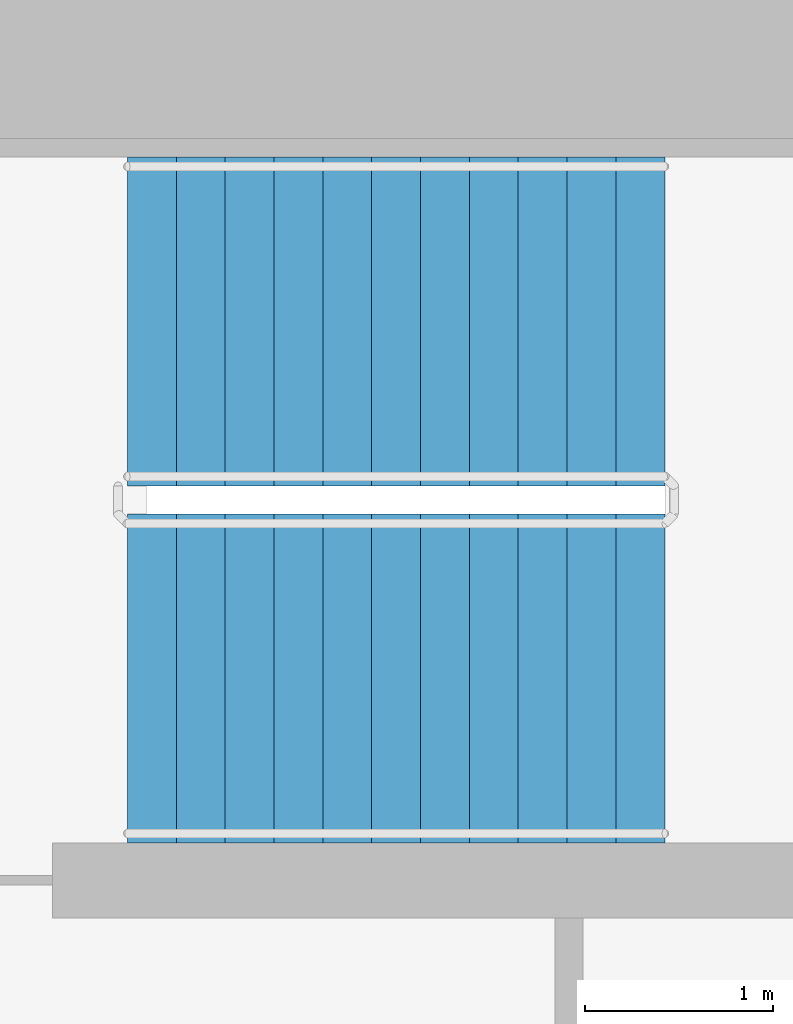
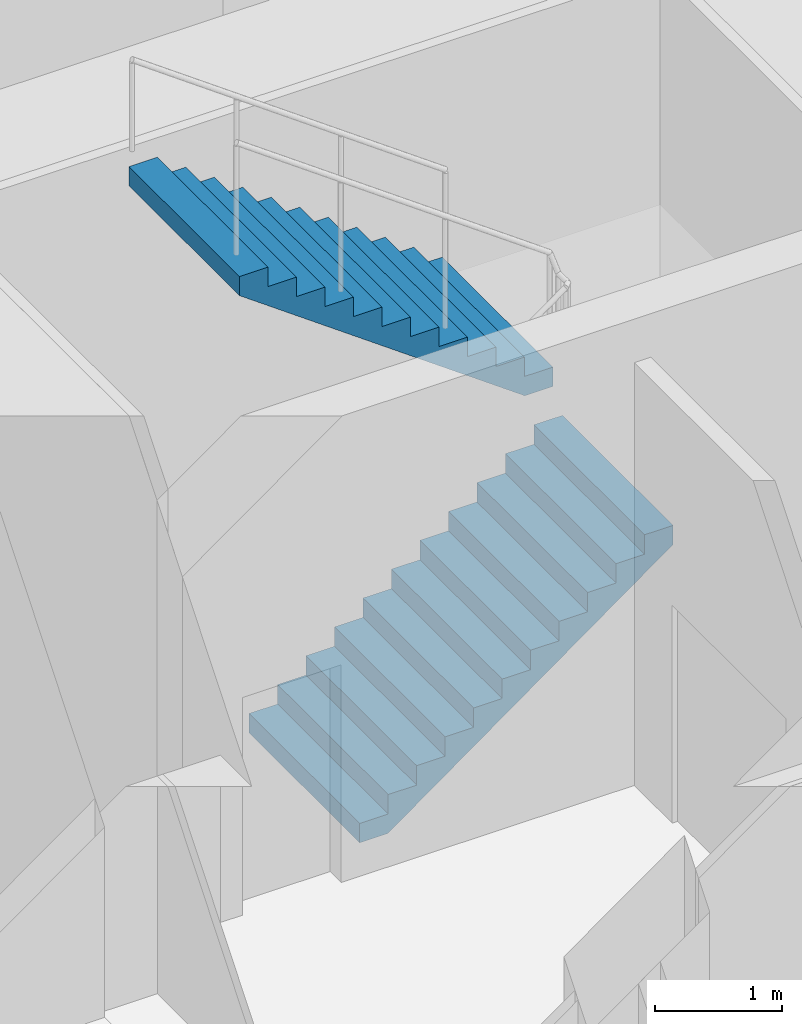
# One storey, part 20 of 27: 2 stair flights, 1 element without a shape of its own.
"""IFC4 building model written with IfcOpenShell, lengths in metres."""

from ifc_helpers import new_model, si_unit, direction, frame, origin, place, context, subcontext, project, spatial, faceted_brep, material, type_object, element, aggregate, save


model = new_model("IFC4")

# Units and contexts
model_context = context("Model", 3, precision=1e-05, world=origin(), true_north=direction((0.0, 1.0)))
body_context = subcontext(model_context, "Body", "Model", "MODEL_VIEW")
ifc_project = project(units=[si_unit("LENGTHUNIT", "METRE"), si_unit("AREAUNIT", "SQUARE_METRE"), si_unit("VOLUMEUNIT", "CUBIC_METRE"), si_unit("PLANEANGLEUNIT", "RADIAN"), si_unit("MASSUNIT", "GRAM", prefix="KILO")], contexts=[model_context])

# Site, building, storey
site_placement = place(None, origin())
site = spatial("IfcSite", under=ifc_project, at=site_placement, CompositionType="ELEMENT")
building_placement = place(site_placement, origin())
building = spatial("IfcBuilding", under=site, at=building_placement, Name="Ipe Terrace Towers", CompositionType="ELEMENT")
storey_placement = place(building_placement, frame((0.0, 0.0, 72.10009765625)))
storey = spatial("IfcBuildingStorey", under=building, at=storey_placement, Name="L19", CompositionType="ELEMENT", Elevation=72.10009765625)

# Stair, stair flights
ifc_material_1 = material(Name="Concrete C30/37", Category="concrete")
stair_type = type_object("IfcStairType", Name="Protected exit stair", PredefinedType="HALF_TURN_STAIR", material=ifc_material_1)
stair_placement = place(storey_placement, origin())
stair = element("IfcStair", 1, at=stair_placement, inside=storey, type_object=stair_type, Name="L19 Exit stair T1-C1", PredefinedType="HALF_TURN_STAIR")
ifc_material_2 = material(Name="Concrete C30/37", Category="concrete")
stair_flight_type = type_object("IfcStairFlightType", Name="Exit stair flight 1750", PredefinedType="STRAIGHT", material=ifc_material_2)
stair_flight_1_placement = place(storey_placement, frame((-26.300048828125, 2.77490234375, 0.0), z_axis=(0.0, 0.0, 1.0), x_axis=(1.0, 0.0, 0.0)))
stair_flight_1 = element("IfcStairFlight", 2, at=stair_flight_1_placement, type_object=stair_flight_type, Name="T1-ST1 flight 1", NumberOfRisers=12, NumberOfTreads=11, PredefinedType="STRAIGHT", RiserHeight=0.1875, TreadLength=0.26, context=body_context, shape_type="Brep", body=[
    faceted_brep([(0.25634765625, -0.875, 0.0), (2.860107421875, -0.875, 1.877685546875), (2.860107421875, -0.875, 2.0625), (2.60009765625, -0.875, 2.0625), (2.60009765625, -0.875, 1.875), (2.340087890625, -0.875, 1.875), (2.340087890625, -0.875, 1.6875), (2.080078125, -0.875, 1.6875), (2.080078125, -0.875, 1.5), (1.820068359375, -0.875, 1.5), (1.820068359375, -0.875, 1.3125), (1.56005859375, -0.875, 1.3125), (1.56005859375, -0.875, 1.125), (1.300048828125, -0.875, 1.125), (1.300048828125, -0.875, 0.9375), (1.0400390625, -0.875, 0.9375), (1.0400390625, -0.875, 0.75), (0.780029296875, -0.875, 0.75), (0.780029296875, -0.875, 0.5625), (0.52001953125, -0.875, 0.5625), (0.52001953125, -0.875, 0.375), (0.260009765625, -0.875, 0.375), (0.260009765625, -0.875, 0.1875), (0.0, -0.875, 0.1875), (0.0, -0.875, 0.0), (0.0, 0.875, 0.0), (0.0, 0.875, 0.1875), (0.260009765625, 0.875, 0.1875), (0.260009765625, 0.875, 0.375), (0.52001953125, 0.875, 0.375), (0.52001953125, 0.875, 0.5625), (0.780029296875, 0.875, 0.5625), (0.780029296875, 0.875, 0.75), (1.0400390625, 0.875, 0.75), (1.0400390625, 0.875, 0.9375), (1.300048828125, 0.875, 0.9375), (1.300048828125, 0.875, 1.125), (1.56005859375, 0.875, 1.125), (1.56005859375, 0.875, 1.3125), (1.820068359375, 0.875, 1.3125), (1.820068359375, 0.875, 1.5), (2.080078125, 0.875, 1.5), (2.080078125, 0.875, 1.6875), (2.340087890625, 0.875, 1.6875), (2.340087890625, 0.875, 1.875), (2.60009765625, 0.875, 1.875), (2.60009765625, 0.875, 2.0625), (2.860107421875, 0.875, 2.0625), (2.860107421875, 0.875, 1.877685546875), (0.25634765625, 0.875, 0.0), (0.0, -0.300048828125, 0.1875), (0.0, -0.1201171875, 0.1875), (0.0, -0.06005859375, 0.1875), (0.0, -0.030029296875, 0.1875), (0.0, -0.010009765625, 0.1875), (0.0, 0.0, 0.1875), (0.0, 0.010009765625, 0.1875), (0.0, 0.030029296875, 0.1875), (0.0, 0.06005859375, 0.1875), (0.0, 0.1201171875, 0.1875), (0.0, 0.300048828125, 0.1875), (0.0, 0.300048828125, 0.0), (0.0, 0.1201171875, 0.0), (0.0, 0.06005859375, 0.0), (0.0, 0.030029296875, 0.0), (0.0, 0.010009765625, 0.0), (0.0, 0.0, 0.0), (0.0, -0.010009765625, 0.0), (0.0, -0.030029296875, 0.0), (0.0, -0.06005859375, 0.0), (0.0, -0.1201171875, 0.0), (0.0, -0.300048828125, 0.0), (0.260009765625, -0.300048828125, 0.1875), (0.260009765625, -0.1201171875, 0.1875), (0.260009765625, -0.06005859375, 0.1875), (0.260009765625, -0.030029296875, 0.1875), (0.260009765625, -0.010009765625, 0.1875), (0.260009765625, 0.0, 0.1875), (0.260009765625, 0.010009765625, 0.1875), (0.260009765625, 0.030029296875, 0.1875), (0.260009765625, 0.06005859375, 0.1875), (0.260009765625, 0.1201171875, 0.1875), (0.260009765625, 0.300048828125, 0.1875), (0.260009765625, -0.300048828125, 0.375), (0.260009765625, -0.1201171875, 0.375), (0.260009765625, -0.06005859375, 0.375), (0.260009765625, -0.030029296875, 0.375), (0.260009765625, -0.010009765625, 0.375), (0.260009765625, 0.0, 0.375), (0.260009765625, 0.010009765625, 0.375), (0.260009765625, 0.030029296875, 0.375), (0.260009765625, 0.06005859375, 0.375), (0.260009765625, 0.1201171875, 0.375), (0.260009765625, 0.300048828125, 0.375), (0.52001953125, -0.300048828125, 0.375), (0.52001953125, -0.1201171875, 0.375), (0.52001953125, -0.06005859375, 0.375), (0.52001953125, -0.030029296875, 0.375), (0.52001953125, -0.010009765625, 0.375), (0.52001953125, 0.0, 0.375), (0.52001953125, 0.010009765625, 0.375), (0.52001953125, 0.030029296875, 0.375), (0.52001953125, 0.06005859375, 0.375), (0.52001953125, 0.1201171875, 0.375), (0.52001953125, 0.300048828125, 0.375), (0.52001953125, -0.300048828125, 0.5625), (0.52001953125, -0.1201171875, 0.5625), (0.52001953125, -0.06005859375, 0.5625), (0.52001953125, -0.030029296875, 0.5625), (0.52001953125, -0.010009765625, 0.5625), (0.52001953125, 0.0, 0.5625), (0.52001953125, 0.010009765625, 0.5625), (0.52001953125, 0.030029296875, 0.5625), (0.52001953125, 0.06005859375, 0.5625), (0.52001953125, 0.1201171875, 0.5625), (0.52001953125, 0.300048828125, 0.5625), (0.780029296875, -0.300048828125, 0.5625), (0.780029296875, -0.1201171875, 0.5625), (0.780029296875, -0.06005859375, 0.5625), (0.780029296875, -0.030029296875, 0.5625), (0.780029296875, -0.010009765625, 0.5625), (0.780029296875, 0.0, 0.5625), (0.780029296875, 0.010009765625, 0.5625), (0.780029296875, 0.030029296875, 0.5625), (0.780029296875, 0.06005859375, 0.5625), (0.780029296875, 0.1201171875, 0.5625), (0.780029296875, 0.300048828125, 0.5625), (0.780029296875, -0.300048828125, 0.75), (0.780029296875, -0.1201171875, 0.75), (0.780029296875, -0.06005859375, 0.75), (0.780029296875, -0.030029296875, 0.75), (0.780029296875, -0.010009765625, 0.75), (0.780029296875, 0.0, 0.75), (0.780029296875, 0.010009765625, 0.75), (0.780029296875, 0.030029296875, 0.75), (0.780029296875, 0.06005859375, 0.75), (0.780029296875, 0.1201171875, 0.75), (0.780029296875, 0.300048828125, 0.75), (1.0400390625, -0.300048828125, 0.75), (1.0400390625, -0.1201171875, 0.75), (1.0400390625, -0.06005859375, 0.75), (1.0400390625, -0.030029296875, 0.75), (1.0400390625, -0.010009765625, 0.75), (1.0400390625, 0.0, 0.75), (1.0400390625, 0.010009765625, 0.75), (1.0400390625, 0.030029296875, 0.75), (1.0400390625, 0.06005859375, 0.75), (1.0400390625, 0.1201171875, 0.75), (1.0400390625, 0.300048828125, 0.75), (1.0400390625, -0.300048828125, 0.9375), (1.0400390625, -0.1201171875, 0.9375), (1.0400390625, -0.06005859375, 0.9375), (1.0400390625, -0.030029296875, 0.9375), (1.0400390625, -0.010009765625, 0.9375), (1.0400390625, 0.0, 0.9375), (1.0400390625, 0.010009765625, 0.9375), (1.0400390625, 0.030029296875, 0.9375), (1.0400390625, 0.06005859375, 0.9375), (1.0400390625, 0.1201171875, 0.9375), (1.0400390625, 0.300048828125, 0.9375), (1.300048828125, -0.300048828125, 0.9375), (1.300048828125, -0.1201171875, 0.9375), (1.300048828125, -0.06005859375, 0.9375), (1.300048828125, -0.030029296875, 0.9375), (1.300048828125, -0.010009765625, 0.9375), (1.300048828125, 0.0, 0.9375), (1.300048828125, 0.010009765625, 0.9375), (1.300048828125, 0.030029296875, 0.9375), (1.300048828125, 0.06005859375, 0.9375), (1.300048828125, 0.1201171875, 0.9375), (1.300048828125, 0.300048828125, 0.9375), (1.300048828125, -0.300048828125, 1.125), (1.300048828125, -0.1201171875, 1.125), (1.300048828125, -0.06005859375, 1.125), (1.300048828125, -0.030029296875, 1.125), (1.300048828125, -0.010009765625, 1.125), (1.300048828125, 0.0, 1.125), (1.300048828125, 0.010009765625, 1.125), (1.300048828125, 0.030029296875, 1.125), (1.300048828125, 0.06005859375, 1.125), (1.300048828125, 0.1201171875, 1.125), (1.300048828125, 0.300048828125, 1.125), (1.56005859375, -0.300048828125, 1.125), (1.56005859375, -0.1201171875, 1.125), (1.56005859375, -0.06005859375, 1.125), (1.56005859375, -0.030029296875, 1.125), (1.56005859375, -0.010009765625, 1.125), (1.56005859375, 0.0, 1.125), (1.56005859375, 0.010009765625, 1.125), (1.56005859375, 0.030029296875, 1.125), (1.56005859375, 0.06005859375, 1.125), (1.56005859375, 0.1201171875, 1.125), (1.56005859375, 0.300048828125, 1.125), (1.56005859375, -0.300048828125, 1.3125), (1.56005859375, -0.1201171875, 1.3125), (1.56005859375, -0.06005859375, 1.3125), (1.56005859375, -0.030029296875, 1.3125), (1.56005859375, -0.010009765625, 1.3125), (1.56005859375, 0.0, 1.3125), (1.56005859375, 0.010009765625, 1.3125), (1.56005859375, 0.030029296875, 1.3125), (1.56005859375, 0.06005859375, 1.3125), (1.56005859375, 0.1201171875, 1.3125), (1.56005859375, 0.300048828125, 1.3125), (1.820068359375, -0.300048828125, 1.3125), (1.820068359375, -0.1201171875, 1.3125), (1.820068359375, -0.06005859375, 1.3125), (1.820068359375, -0.030029296875, 1.3125), (1.820068359375, -0.010009765625, 1.3125), (1.820068359375, 0.0, 1.3125), (1.820068359375, 0.010009765625, 1.3125), (1.820068359375, 0.030029296875, 1.3125), (1.820068359375, 0.06005859375, 1.3125), (1.820068359375, 0.1201171875, 1.3125), (1.820068359375, 0.300048828125, 1.3125), (1.820068359375, -0.300048828125, 1.5), (1.820068359375, -0.1201171875, 1.5), (1.820068359375, -0.06005859375, 1.5), (1.820068359375, -0.030029296875, 1.5), (1.820068359375, -0.010009765625, 1.5), (1.820068359375, 0.0, 1.5), (1.820068359375, 0.010009765625, 1.5), (1.820068359375, 0.030029296875, 1.5), (1.820068359375, 0.06005859375, 1.5), (1.820068359375, 0.1201171875, 1.5), (1.820068359375, 0.300048828125, 1.5), (2.080078125, -0.300048828125, 1.5), (2.080078125, -0.1201171875, 1.5), (2.080078125, -0.06005859375, 1.5), (2.080078125, -0.030029296875, 1.5), (2.080078125, -0.010009765625, 1.5), (2.080078125, 0.0, 1.5), (2.080078125, 0.010009765625, 1.5), (2.080078125, 0.030029296875, 1.5), (2.080078125, 0.06005859375, 1.5), (2.080078125, 0.1201171875, 1.5), (2.080078125, 0.300048828125, 1.5), (2.080078125, -0.300048828125, 1.6875), (2.080078125, -0.1201171875, 1.6875), (2.080078125, -0.06005859375, 1.6875), (2.080078125, -0.030029296875, 1.6875), (2.080078125, -0.010009765625, 1.6875), (2.080078125, 0.0, 1.6875), (2.080078125, 0.010009765625, 1.6875), (2.080078125, 0.030029296875, 1.6875), (2.080078125, 0.06005859375, 1.6875), (2.080078125, 0.1201171875, 1.6875), (2.080078125, 0.300048828125, 1.6875), (2.340087890625, -0.300048828125, 1.6875), (2.340087890625, -0.1201171875, 1.6875), (2.340087890625, -0.06005859375, 1.6875), (2.340087890625, -0.030029296875, 1.6875), (2.340087890625, -0.010009765625, 1.6875), (2.340087890625, 0.0, 1.6875), (2.340087890625, 0.010009765625, 1.6875), (2.340087890625, 0.030029296875, 1.6875), (2.340087890625, 0.06005859375, 1.6875), (2.340087890625, 0.1201171875, 1.6875), (2.340087890625, 0.300048828125, 1.6875), (2.340087890625, -0.300048828125, 1.875), (2.340087890625, -0.1201171875, 1.875), (2.340087890625, -0.06005859375, 1.875), (2.340087890625, -0.030029296875, 1.875), (2.340087890625, -0.010009765625, 1.875), (2.340087890625, 0.0, 1.875), (2.340087890625, 0.010009765625, 1.875), (2.340087890625, 0.030029296875, 1.875), (2.340087890625, 0.06005859375, 1.875), (2.340087890625, 0.1201171875, 1.875), (2.340087890625, 0.300048828125, 1.875), (2.60009765625, -0.300048828125, 1.875), (2.60009765625, -0.1201171875, 1.875), (2.60009765625, -0.06005859375, 1.875), (2.60009765625, -0.030029296875, 1.875), (2.60009765625, -0.010009765625, 1.875), (2.60009765625, 0.0, 1.875), (2.60009765625, 0.010009765625, 1.875), (2.60009765625, 0.030029296875, 1.875), (2.60009765625, 0.06005859375, 1.875), (2.60009765625, 0.1201171875, 1.875), (2.60009765625, 0.300048828125, 1.875), (2.60009765625, -0.300048828125, 2.0625), (2.60009765625, -0.1201171875, 2.0625), (2.60009765625, -0.06005859375, 2.0625), (2.60009765625, -0.030029296875, 2.0625), (2.60009765625, -0.010009765625, 2.0625), (2.60009765625, 0.0, 2.0625), (2.60009765625, 0.010009765625, 2.0625), (2.60009765625, 0.030029296875, 2.0625), (2.60009765625, 0.06005859375, 2.0625), (2.60009765625, 0.1201171875, 2.0625), (2.60009765625, 0.300048828125, 2.0625), (2.860107421875, -0.300048828125, 2.0625), (2.860107421875, -0.1201171875, 2.0625), (2.860107421875, -0.06005859375, 2.0625), (2.860107421875, -0.030029296875, 2.0625), (2.860107421875, -0.010009765625, 2.0625), (2.860107421875, 0.0, 2.0625), (2.860107421875, 0.010009765625, 2.0625), (2.860107421875, 0.030029296875, 2.0625), (2.860107421875, 0.06005859375, 2.0625), (2.860107421875, 0.1201171875, 2.0625), (2.860107421875, 0.300048828125, 2.0625), (2.860107421875, -0.300048828125, 1.877685546875), (2.860107421875, -0.1201171875, 1.877685546875), (2.860107421875, -0.06005859375, 1.877685546875), (2.860107421875, -0.030029296875, 1.877685546875), (2.860107421875, -0.010009765625, 1.877685546875), (2.860107421875, 0.0, 1.877685546875), (2.860107421875, 0.010009765625, 1.877685546875), (2.860107421875, 0.030029296875, 1.877685546875), (2.860107421875, 0.06005859375, 1.877685546875), (2.860107421875, 0.1201171875, 1.877685546875), (2.860107421875, 0.300048828125, 1.877685546875), (0.25634765625, -0.300048828125, 0.0), (0.25634765625, -0.1201171875, 0.0), (0.25634765625, -0.06005859375, 0.0), (0.25634765625, -0.030029296875, 0.0), (0.25634765625, -0.010009765625, 0.0), (0.25634765625, 0.0, 0.0), (0.25634765625, 0.010009765625, 0.0), (0.25634765625, 0.030029296875, 0.0), (0.25634765625, 0.06005859375, 0.0), (0.25634765625, 0.1201171875, 0.0), (0.25634765625, 0.300048828125, 0.0)], [[[0, 1, 2, 3, 4, 5, 6, 7, 8, 9, 10, 11, 12, 13, 14, 15, 16, 17, 18, 19, 20, 21, 22, 23, 24]], [[25, 26, 27, 28, 29, 30, 31, 32, 33, 34, 35, 36, 37, 38, 39, 40, 41, 42, 43, 44, 45, 46, 47, 48, 49]], [[23, 50, 51, 52, 53, 54, 55, 56, 57, 58, 59, 60, 26, 25, 61, 62, 63, 64, 65, 66, 67, 68, 69, 70, 71, 24]], [[22, 72, 73, 74, 75, 76, 77, 78, 79, 80, 81, 82, 27, 26, 60, 59, 58, 57, 56, 55, 54, 53, 52, 51, 50, 23]], [[21, 83, 84, 85, 86, 87, 88, 89, 90, 91, 92, 93, 28, 27, 82, 81, 80, 79, 78, 77, 76, 75, 74, 73, 72, 22]], [[20, 94, 95, 96, 97, 98, 99, 100, 101, 102, 103, 104, 29, 28, 93, 92, 91, 90, 89, 88, 87, 86, 85, 84, 83, 21]], [[19, 105, 106, 107, 108, 109, 110, 111, 112, 113, 114, 115, 30, 29, 104, 103, 102, 101, 100, 99, 98, 97, 96, 95, 94, 20]], [[18, 116, 117, 118, 119, 120, 121, 122, 123, 124, 125, 126, 31, 30, 115, 114, 113, 112, 111, 110, 109, 108, 107, 106, 105, 19]], [[17, 127, 128, 129, 130, 131, 132, 133, 134, 135, 136, 137, 32, 31, 126, 125, 124, 123, 122, 121, 120, 119, 118, 117, 116, 18]], [[16, 138, 139, 140, 141, 142, 143, 144, 145, 146, 147, 148, 33, 32, 137, 136, 135, 134, 133, 132, 131, 130, 129, 128, 127, 17]], [[15, 149, 150, 151, 152, 153, 154, 155, 156, 157, 158, 159, 34, 33, 148, 147, 146, 145, 144, 143, 142, 141, 140, 139, 138, 16]], [[14, 160, 161, 162, 163, 164, 165, 166, 167, 168, 169, 170, 35, 34, 159, 158, 157, 156, 155, 154, 153, 152, 151, 150, 149, 15]], [[13, 171, 172, 173, 174, 175, 176, 177, 178, 179, 180, 181, 36, 35, 170, 169, 168, 167, 166, 165, 164, 163, 162, 161, 160, 14]], [[12, 182, 183, 184, 185, 186, 187, 188, 189, 190, 191, 192, 37, 36, 181, 180, 179, 178, 177, 176, 175, 174, 173, 172, 171, 13]], [[11, 193, 194, 195, 196, 197, 198, 199, 200, 201, 202, 203, 38, 37, 192, 191, 190, 189, 188, 187, 186, 185, 184, 183, 182, 12]], [[10, 204, 205, 206, 207, 208, 209, 210, 211, 212, 213, 214, 39, 38, 203, 202, 201, 200, 199, 198, 197, 196, 195, 194, 193, 11]], [[9, 215, 216, 217, 218, 219, 220, 221, 222, 223, 224, 225, 40, 39, 214, 213, 212, 211, 210, 209, 208, 207, 206, 205, 204, 10]], [[8, 226, 227, 228, 229, 230, 231, 232, 233, 234, 235, 236, 41, 40, 225, 224, 223, 222, 221, 220, 219, 218, 217, 216, 215, 9]], [[7, 237, 238, 239, 240, 241, 242, 243, 244, 245, 246, 247, 42, 41, 236, 235, 234, 233, 232, 231, 230, 229, 228, 227, 226, 8]], [[6, 248, 249, 250, 251, 252, 253, 254, 255, 256, 257, 258, 43, 42, 247, 246, 245, 244, 243, 242, 241, 240, 239, 238, 237, 7]], [[5, 259, 260, 261, 262, 263, 264, 265, 266, 267, 268, 269, 44, 43, 258, 257, 256, 255, 254, 253, 252, 251, 250, 249, 248, 6]], [[4, 270, 271, 272, 273, 274, 275, 276, 277, 278, 279, 280, 45, 44, 269, 268, 267, 266, 265, 264, 263, 262, 261, 260, 259, 5]], [[3, 281, 282, 283, 284, 285, 286, 287, 288, 289, 290, 291, 46, 45, 280, 279, 278, 277, 276, 275, 274, 273, 272, 271, 270, 4]], [[2, 292, 293, 294, 295, 296, 297, 298, 299, 300, 301, 302, 47, 46, 291, 290, 289, 288, 287, 286, 285, 284, 283, 282, 281, 3]], [[1, 303, 304, 305, 306, 307, 308, 309, 310, 311, 312, 313, 48, 47, 302, 301, 300, 299, 298, 297, 296, 295, 294, 293, 292, 2]], [[0, 314, 315, 316, 317, 318, 319, 320, 321, 322, 323, 324, 49, 48, 313, 312, 311, 310, 309, 308, 307, 306, 305, 304, 303, 1]], [[24, 71, 70, 69, 68, 67, 66, 65, 64, 63, 62, 61, 25, 49, 324, 323, 322, 321, 320, 319, 318, 317, 316, 315, 314, 0]]]),
])
stair_flight_2_placement = place(storey_placement, frame((-23.43994140625, 4.675048828125, 2.25), z_axis=(0.0, 0.0, 1.0), x_axis=(-1.0, 0.0, 0.0)))
stair_flight_2 = element("IfcStairFlight", 3, at=stair_flight_2_placement, type_object=stair_flight_type, Name="T1-ST1 flight 2", NumberOfRisers=12, NumberOfTreads=11, PredefinedType="STRAIGHT", RiserHeight=0.1875, TreadLength=0.26, context=body_context, shape_type="Brep", body=[
    faceted_brep([(0.25634765625, -0.875, 0.0), (2.860107421875, -0.875, 1.877685546875), (2.860107421875, -0.875, 2.0625), (2.60009765625, -0.875, 2.0625), (2.60009765625, -0.875, 1.875), (2.340087890625, -0.875, 1.875), (2.340087890625, -0.875, 1.6875), (2.080078125, -0.875, 1.6875), (2.080078125, -0.875, 1.5), (1.820068359375, -0.875, 1.5), (1.820068359375, -0.875, 1.3125), (1.56005859375, -0.875, 1.3125), (1.56005859375, -0.875, 1.125), (1.300048828125, -0.875, 1.125), (1.300048828125, -0.875, 0.9375), (1.0400390625, -0.875, 0.9375), (1.0400390625, -0.875, 0.75), (0.780029296875, -0.875, 0.75), (0.780029296875, -0.875, 0.5625), (0.52001953125, -0.875, 0.5625), (0.52001953125, -0.875, 0.375), (0.260009765625, -0.875, 0.375), (0.260009765625, -0.875, 0.1875), (0.0, -0.875, 0.1875), (0.0, -0.875, 0.0), (0.0, 0.875, 0.0), (0.0, 0.875, 0.1875), (0.260009765625, 0.875, 0.1875), (0.260009765625, 0.875, 0.375), (0.52001953125, 0.875, 0.375), (0.52001953125, 0.875, 0.5625), (0.780029296875, 0.875, 0.5625), (0.780029296875, 0.875, 0.75), (1.0400390625, 0.875, 0.75), (1.0400390625, 0.875, 0.9375), (1.300048828125, 0.875, 0.9375), (1.300048828125, 0.875, 1.125), (1.56005859375, 0.875, 1.125), (1.56005859375, 0.875, 1.3125), (1.820068359375, 0.875, 1.3125), (1.820068359375, 0.875, 1.5), (2.080078125, 0.875, 1.5), (2.080078125, 0.875, 1.6875), (2.340087890625, 0.875, 1.6875), (2.340087890625, 0.875, 1.875), (2.60009765625, 0.875, 1.875), (2.60009765625, 0.875, 2.0625), (2.860107421875, 0.875, 2.0625), (2.860107421875, 0.875, 1.877685546875), (0.25634765625, 0.875, 0.0), (0.0, -0.300048828125, 0.1875), (0.0, -0.1201171875, 0.1875), (0.0, -0.06005859375, 0.1875), (0.0, -0.030029296875, 0.1875), (0.0, -0.010009765625, 0.1875), (0.0, 0.0, 0.1875), (0.0, 0.010009765625, 0.1875), (0.0, 0.030029296875, 0.1875), (0.0, 0.06005859375, 0.1875), (0.0, 0.1201171875, 0.1875), (0.0, 0.300048828125, 0.1875), (0.0, 0.300048828125, 0.0), (0.0, 0.1201171875, 0.0), (0.0, 0.06005859375, 0.0), (0.0, 0.030029296875, 0.0), (0.0, 0.010009765625, 0.0), (0.0, 0.0, 0.0), (0.0, -0.010009765625, 0.0), (0.0, -0.030029296875, 0.0), (0.0, -0.06005859375, 0.0), (0.0, -0.1201171875, 0.0), (0.0, -0.300048828125, 0.0), (0.260009765625, -0.300048828125, 0.1875), (0.260009765625, -0.1201171875, 0.1875), (0.260009765625, -0.06005859375, 0.1875), (0.260009765625, -0.030029296875, 0.1875), (0.260009765625, -0.010009765625, 0.1875), (0.260009765625, 0.0, 0.1875), (0.260009765625, 0.010009765625, 0.1875), (0.260009765625, 0.030029296875, 0.1875), (0.260009765625, 0.06005859375, 0.1875), (0.260009765625, 0.1201171875, 0.1875), (0.260009765625, 0.300048828125, 0.1875), (0.260009765625, -0.300048828125, 0.375), (0.260009765625, -0.1201171875, 0.375), (0.260009765625, -0.06005859375, 0.375), (0.260009765625, -0.030029296875, 0.375), (0.260009765625, -0.010009765625, 0.375), (0.260009765625, 0.0, 0.375), (0.260009765625, 0.010009765625, 0.375), (0.260009765625, 0.030029296875, 0.375), (0.260009765625, 0.06005859375, 0.375), (0.260009765625, 0.1201171875, 0.375), (0.260009765625, 0.300048828125, 0.375), (0.52001953125, -0.300048828125, 0.375), (0.52001953125, -0.1201171875, 0.375), (0.52001953125, -0.06005859375, 0.375), (0.52001953125, -0.030029296875, 0.375), (0.52001953125, -0.010009765625, 0.375), (0.52001953125, 0.0, 0.375), (0.52001953125, 0.010009765625, 0.375), (0.52001953125, 0.030029296875, 0.375), (0.52001953125, 0.06005859375, 0.375), (0.52001953125, 0.1201171875, 0.375), (0.52001953125, 0.300048828125, 0.375), (0.52001953125, -0.300048828125, 0.5625), (0.52001953125, -0.1201171875, 0.5625), (0.52001953125, -0.06005859375, 0.5625), (0.52001953125, -0.030029296875, 0.5625), (0.52001953125, -0.010009765625, 0.5625), (0.52001953125, 0.0, 0.5625), (0.52001953125, 0.010009765625, 0.5625), (0.52001953125, 0.030029296875, 0.5625), (0.52001953125, 0.06005859375, 0.5625), (0.52001953125, 0.1201171875, 0.5625), (0.52001953125, 0.300048828125, 0.5625), (0.780029296875, -0.300048828125, 0.5625), (0.780029296875, -0.1201171875, 0.5625), (0.780029296875, -0.06005859375, 0.5625), (0.780029296875, -0.030029296875, 0.5625), (0.780029296875, -0.010009765625, 0.5625), (0.780029296875, 0.0, 0.5625), (0.780029296875, 0.010009765625, 0.5625), (0.780029296875, 0.030029296875, 0.5625), (0.780029296875, 0.06005859375, 0.5625), (0.780029296875, 0.1201171875, 0.5625), (0.780029296875, 0.300048828125, 0.5625), (0.780029296875, -0.300048828125, 0.75), (0.780029296875, -0.1201171875, 0.75), (0.780029296875, -0.06005859375, 0.75), (0.780029296875, -0.030029296875, 0.75), (0.780029296875, -0.010009765625, 0.75), (0.780029296875, 0.0, 0.75), (0.780029296875, 0.010009765625, 0.75), (0.780029296875, 0.030029296875, 0.75), (0.780029296875, 0.06005859375, 0.75), (0.780029296875, 0.1201171875, 0.75), (0.780029296875, 0.300048828125, 0.75), (1.0400390625, -0.300048828125, 0.75), (1.0400390625, -0.1201171875, 0.75), (1.0400390625, -0.06005859375, 0.75), (1.0400390625, -0.030029296875, 0.75), (1.0400390625, -0.010009765625, 0.75), (1.0400390625, 0.0, 0.75), (1.0400390625, 0.010009765625, 0.75), (1.0400390625, 0.030029296875, 0.75), (1.0400390625, 0.06005859375, 0.75), (1.0400390625, 0.1201171875, 0.75), (1.0400390625, 0.300048828125, 0.75), (1.0400390625, -0.300048828125, 0.9375), (1.0400390625, -0.1201171875, 0.9375), (1.0400390625, -0.06005859375, 0.9375), (1.0400390625, -0.030029296875, 0.9375), (1.0400390625, -0.010009765625, 0.9375), (1.0400390625, 0.0, 0.9375), (1.0400390625, 0.010009765625, 0.9375), (1.0400390625, 0.030029296875, 0.9375), (1.0400390625, 0.06005859375, 0.9375), (1.0400390625, 0.1201171875, 0.9375), (1.0400390625, 0.300048828125, 0.9375), (1.300048828125, -0.300048828125, 0.9375), (1.300048828125, -0.1201171875, 0.9375), (1.300048828125, -0.06005859375, 0.9375), (1.300048828125, -0.030029296875, 0.9375), (1.300048828125, -0.010009765625, 0.9375), (1.300048828125, 0.0, 0.9375), (1.300048828125, 0.010009765625, 0.9375), (1.300048828125, 0.030029296875, 0.9375), (1.300048828125, 0.06005859375, 0.9375), (1.300048828125, 0.1201171875, 0.9375), (1.300048828125, 0.300048828125, 0.9375), (1.300048828125, -0.300048828125, 1.125), (1.300048828125, -0.1201171875, 1.125), (1.300048828125, -0.06005859375, 1.125), (1.300048828125, -0.030029296875, 1.125), (1.300048828125, -0.010009765625, 1.125), (1.300048828125, 0.0, 1.125), (1.300048828125, 0.010009765625, 1.125), (1.300048828125, 0.030029296875, 1.125), (1.300048828125, 0.06005859375, 1.125), (1.300048828125, 0.1201171875, 1.125), (1.300048828125, 0.300048828125, 1.125), (1.56005859375, -0.300048828125, 1.125), (1.56005859375, -0.1201171875, 1.125), (1.56005859375, -0.06005859375, 1.125), (1.56005859375, -0.030029296875, 1.125), (1.56005859375, -0.010009765625, 1.125), (1.56005859375, 0.0, 1.125), (1.56005859375, 0.010009765625, 1.125), (1.56005859375, 0.030029296875, 1.125), (1.56005859375, 0.06005859375, 1.125), (1.56005859375, 0.1201171875, 1.125), (1.56005859375, 0.300048828125, 1.125), (1.56005859375, -0.300048828125, 1.3125), (1.56005859375, -0.1201171875, 1.3125), (1.56005859375, -0.06005859375, 1.3125), (1.56005859375, -0.030029296875, 1.3125), (1.56005859375, -0.010009765625, 1.3125), (1.56005859375, 0.0, 1.3125), (1.56005859375, 0.010009765625, 1.3125), (1.56005859375, 0.030029296875, 1.3125), (1.56005859375, 0.06005859375, 1.3125), (1.56005859375, 0.1201171875, 1.3125), (1.56005859375, 0.300048828125, 1.3125), (1.820068359375, -0.300048828125, 1.3125), (1.820068359375, -0.1201171875, 1.3125), (1.820068359375, -0.06005859375, 1.3125), (1.820068359375, -0.030029296875, 1.3125), (1.820068359375, -0.010009765625, 1.3125), (1.820068359375, 0.0, 1.3125), (1.820068359375, 0.010009765625, 1.3125), (1.820068359375, 0.030029296875, 1.3125), (1.820068359375, 0.06005859375, 1.3125), (1.820068359375, 0.1201171875, 1.3125), (1.820068359375, 0.300048828125, 1.3125), (1.820068359375, -0.300048828125, 1.5), (1.820068359375, -0.1201171875, 1.5), (1.820068359375, -0.06005859375, 1.5), (1.820068359375, -0.030029296875, 1.5), (1.820068359375, -0.010009765625, 1.5), (1.820068359375, 0.0, 1.5), (1.820068359375, 0.010009765625, 1.5), (1.820068359375, 0.030029296875, 1.5), (1.820068359375, 0.06005859375, 1.5), (1.820068359375, 0.1201171875, 1.5), (1.820068359375, 0.300048828125, 1.5), (2.080078125, -0.300048828125, 1.5), (2.080078125, -0.1201171875, 1.5), (2.080078125, -0.06005859375, 1.5), (2.080078125, -0.030029296875, 1.5), (2.080078125, -0.010009765625, 1.5), (2.080078125, 0.0, 1.5), (2.080078125, 0.010009765625, 1.5), (2.080078125, 0.030029296875, 1.5), (2.080078125, 0.06005859375, 1.5), (2.080078125, 0.1201171875, 1.5), (2.080078125, 0.300048828125, 1.5), (2.080078125, -0.300048828125, 1.6875), (2.080078125, -0.1201171875, 1.6875), (2.080078125, -0.06005859375, 1.6875), (2.080078125, -0.030029296875, 1.6875), (2.080078125, -0.010009765625, 1.6875), (2.080078125, 0.0, 1.6875), (2.080078125, 0.010009765625, 1.6875), (2.080078125, 0.030029296875, 1.6875), (2.080078125, 0.06005859375, 1.6875), (2.080078125, 0.1201171875, 1.6875), (2.080078125, 0.300048828125, 1.6875), (2.340087890625, -0.300048828125, 1.6875), (2.340087890625, -0.1201171875, 1.6875), (2.340087890625, -0.06005859375, 1.6875), (2.340087890625, -0.030029296875, 1.6875), (2.340087890625, -0.010009765625, 1.6875), (2.340087890625, 0.0, 1.6875), (2.340087890625, 0.010009765625, 1.6875), (2.340087890625, 0.030029296875, 1.6875), (2.340087890625, 0.06005859375, 1.6875), (2.340087890625, 0.1201171875, 1.6875), (2.340087890625, 0.300048828125, 1.6875), (2.340087890625, -0.300048828125, 1.875), (2.340087890625, -0.1201171875, 1.875), (2.340087890625, -0.06005859375, 1.875), (2.340087890625, -0.030029296875, 1.875), (2.340087890625, -0.010009765625, 1.875), (2.340087890625, 0.0, 1.875), (2.340087890625, 0.010009765625, 1.875), (2.340087890625, 0.030029296875, 1.875), (2.340087890625, 0.06005859375, 1.875), (2.340087890625, 0.1201171875, 1.875), (2.340087890625, 0.300048828125, 1.875), (2.60009765625, -0.300048828125, 1.875), (2.60009765625, -0.1201171875, 1.875), (2.60009765625, -0.06005859375, 1.875), (2.60009765625, -0.030029296875, 1.875), (2.60009765625, -0.010009765625, 1.875), (2.60009765625, 0.0, 1.875), (2.60009765625, 0.010009765625, 1.875), (2.60009765625, 0.030029296875, 1.875), (2.60009765625, 0.06005859375, 1.875), (2.60009765625, 0.1201171875, 1.875), (2.60009765625, 0.300048828125, 1.875), (2.60009765625, -0.300048828125, 2.0625), (2.60009765625, -0.1201171875, 2.0625), (2.60009765625, -0.06005859375, 2.0625), (2.60009765625, -0.030029296875, 2.0625), (2.60009765625, -0.010009765625, 2.0625), (2.60009765625, 0.0, 2.0625), (2.60009765625, 0.010009765625, 2.0625), (2.60009765625, 0.030029296875, 2.0625), (2.60009765625, 0.06005859375, 2.0625), (2.60009765625, 0.1201171875, 2.0625), (2.60009765625, 0.300048828125, 2.0625), (2.860107421875, -0.300048828125, 2.0625), (2.860107421875, -0.1201171875, 2.0625), (2.860107421875, -0.06005859375, 2.0625), (2.860107421875, -0.030029296875, 2.0625), (2.860107421875, -0.010009765625, 2.0625), (2.860107421875, 0.0, 2.0625), (2.860107421875, 0.010009765625, 2.0625), (2.860107421875, 0.030029296875, 2.0625), (2.860107421875, 0.06005859375, 2.0625), (2.860107421875, 0.1201171875, 2.0625), (2.860107421875, 0.300048828125, 2.0625), (2.860107421875, -0.300048828125, 1.877685546875), (2.860107421875, -0.1201171875, 1.877685546875), (2.860107421875, -0.06005859375, 1.877685546875), (2.860107421875, -0.030029296875, 1.877685546875), (2.860107421875, -0.010009765625, 1.877685546875), (2.860107421875, 0.0, 1.877685546875), (2.860107421875, 0.010009765625, 1.877685546875), (2.860107421875, 0.030029296875, 1.877685546875), (2.860107421875, 0.06005859375, 1.877685546875), (2.860107421875, 0.1201171875, 1.877685546875), (2.860107421875, 0.300048828125, 1.877685546875), (0.25634765625, -0.300048828125, 0.0), (0.25634765625, -0.1201171875, 0.0), (0.25634765625, -0.06005859375, 0.0), (0.25634765625, -0.030029296875, 0.0), (0.25634765625, -0.010009765625, 0.0), (0.25634765625, 0.0, 0.0), (0.25634765625, 0.010009765625, 0.0), (0.25634765625, 0.030029296875, 0.0), (0.25634765625, 0.06005859375, 0.0), (0.25634765625, 0.1201171875, 0.0), (0.25634765625, 0.300048828125, 0.0)], [[[0, 1, 2, 3, 4, 5, 6, 7, 8, 9, 10, 11, 12, 13, 14, 15, 16, 17, 18, 19, 20, 21, 22, 23, 24]], [[25, 26, 27, 28, 29, 30, 31, 32, 33, 34, 35, 36, 37, 38, 39, 40, 41, 42, 43, 44, 45, 46, 47, 48, 49]], [[23, 50, 51, 52, 53, 54, 55, 56, 57, 58, 59, 60, 26, 25, 61, 62, 63, 64, 65, 66, 67, 68, 69, 70, 71, 24]], [[22, 72, 73, 74, 75, 76, 77, 78, 79, 80, 81, 82, 27, 26, 60, 59, 58, 57, 56, 55, 54, 53, 52, 51, 50, 23]], [[21, 83, 84, 85, 86, 87, 88, 89, 90, 91, 92, 93, 28, 27, 82, 81, 80, 79, 78, 77, 76, 75, 74, 73, 72, 22]], [[20, 94, 95, 96, 97, 98, 99, 100, 101, 102, 103, 104, 29, 28, 93, 92, 91, 90, 89, 88, 87, 86, 85, 84, 83, 21]], [[19, 105, 106, 107, 108, 109, 110, 111, 112, 113, 114, 115, 30, 29, 104, 103, 102, 101, 100, 99, 98, 97, 96, 95, 94, 20]], [[18, 116, 117, 118, 119, 120, 121, 122, 123, 124, 125, 126, 31, 30, 115, 114, 113, 112, 111, 110, 109, 108, 107, 106, 105, 19]], [[17, 127, 128, 129, 130, 131, 132, 133, 134, 135, 136, 137, 32, 31, 126, 125, 124, 123, 122, 121, 120, 119, 118, 117, 116, 18]], [[16, 138, 139, 140, 141, 142, 143, 144, 145, 146, 147, 148, 33, 32, 137, 136, 135, 134, 133, 132, 131, 130, 129, 128, 127, 17]], [[15, 149, 150, 151, 152, 153, 154, 155, 156, 157, 158, 159, 34, 33, 148, 147, 146, 145, 144, 143, 142, 141, 140, 139, 138, 16]], [[14, 160, 161, 162, 163, 164, 165, 166, 167, 168, 169, 170, 35, 34, 159, 158, 157, 156, 155, 154, 153, 152, 151, 150, 149, 15]], [[13, 171, 172, 173, 174, 175, 176, 177, 178, 179, 180, 181, 36, 35, 170, 169, 168, 167, 166, 165, 164, 163, 162, 161, 160, 14]], [[12, 182, 183, 184, 185, 186, 187, 188, 189, 190, 191, 192, 37, 36, 181, 180, 179, 178, 177, 176, 175, 174, 173, 172, 171, 13]], [[11, 193, 194, 195, 196, 197, 198, 199, 200, 201, 202, 203, 38, 37, 192, 191, 190, 189, 188, 187, 186, 185, 184, 183, 182, 12]], [[10, 204, 205, 206, 207, 208, 209, 210, 211, 212, 213, 214, 39, 38, 203, 202, 201, 200, 199, 198, 197, 196, 195, 194, 193, 11]], [[9, 215, 216, 217, 218, 219, 220, 221, 222, 223, 224, 225, 40, 39, 214, 213, 212, 211, 210, 209, 208, 207, 206, 205, 204, 10]], [[8, 226, 227, 228, 229, 230, 231, 232, 233, 234, 235, 236, 41, 40, 225, 224, 223, 222, 221, 220, 219, 218, 217, 216, 215, 9]], [[7, 237, 238, 239, 240, 241, 242, 243, 244, 245, 246, 247, 42, 41, 236, 235, 234, 233, 232, 231, 230, 229, 228, 227, 226, 8]], [[6, 248, 249, 250, 251, 252, 253, 254, 255, 256, 257, 258, 43, 42, 247, 246, 245, 244, 243, 242, 241, 240, 239, 238, 237, 7]], [[5, 259, 260, 261, 262, 263, 264, 265, 266, 267, 268, 269, 44, 43, 258, 257, 256, 255, 254, 253, 252, 251, 250, 249, 248, 6]], [[4, 270, 271, 272, 273, 274, 275, 276, 277, 278, 279, 280, 45, 44, 269, 268, 267, 266, 265, 264, 263, 262, 261, 260, 259, 5]], [[3, 281, 282, 283, 284, 285, 286, 287, 288, 289, 290, 291, 46, 45, 280, 279, 278, 277, 276, 275, 274, 273, 272, 271, 270, 4]], [[2, 292, 293, 294, 295, 296, 297, 298, 299, 300, 301, 302, 47, 46, 291, 290, 289, 288, 287, 286, 285, 284, 283, 282, 281, 3]], [[1, 303, 304, 305, 306, 307, 308, 309, 310, 311, 312, 313, 48, 47, 302, 301, 300, 299, 298, 297, 296, 295, 294, 293, 292, 2]], [[0, 314, 315, 316, 317, 318, 319, 320, 321, 322, 323, 324, 49, 48, 313, 312, 311, 310, 309, 308, 307, 306, 305, 304, 303, 1]], [[24, 71, 70, 69, 68, 67, 66, 65, 64, 63, 62, 61, 25, 49, 324, 323, 322, 321, 320, 319, 318, 317, 316, 315, 314, 0]]]),
])
aggregate(stair, [stair_flight_1, stair_flight_2])

save(model, "model.ifc")
